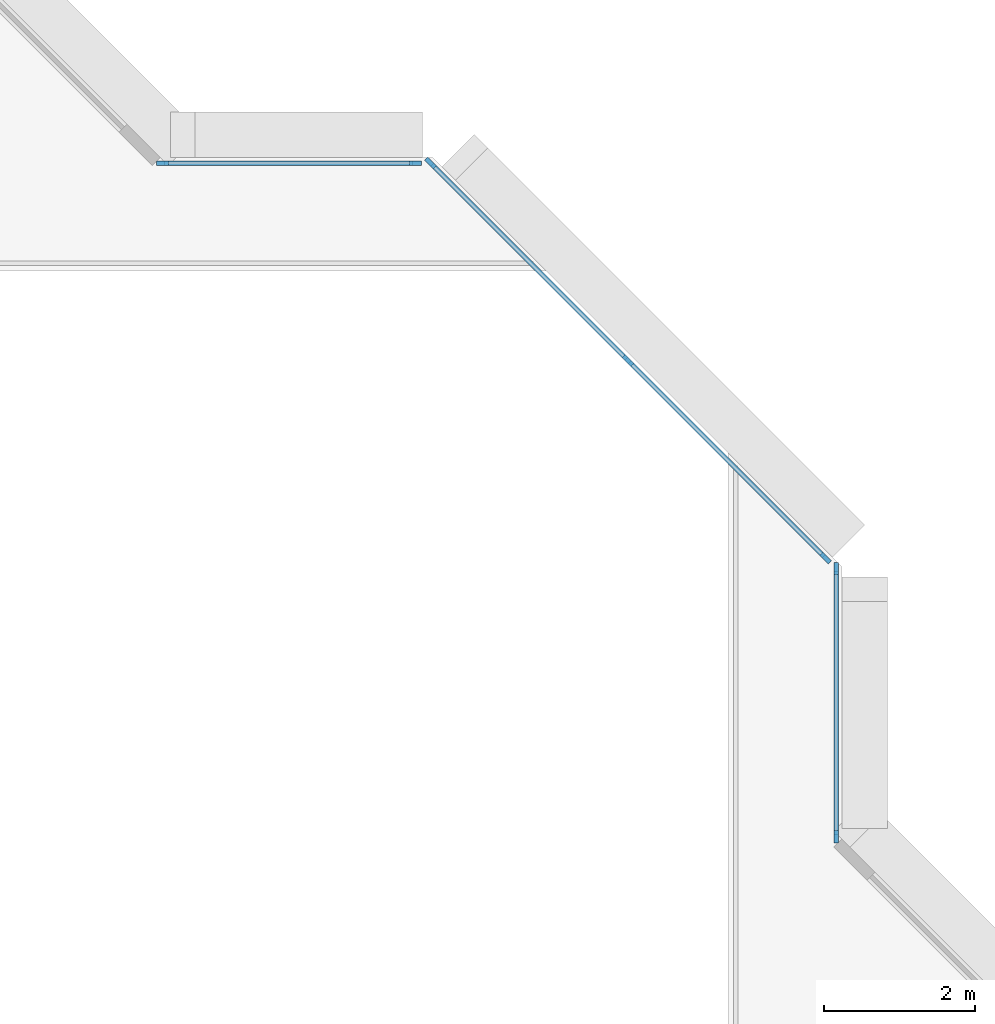
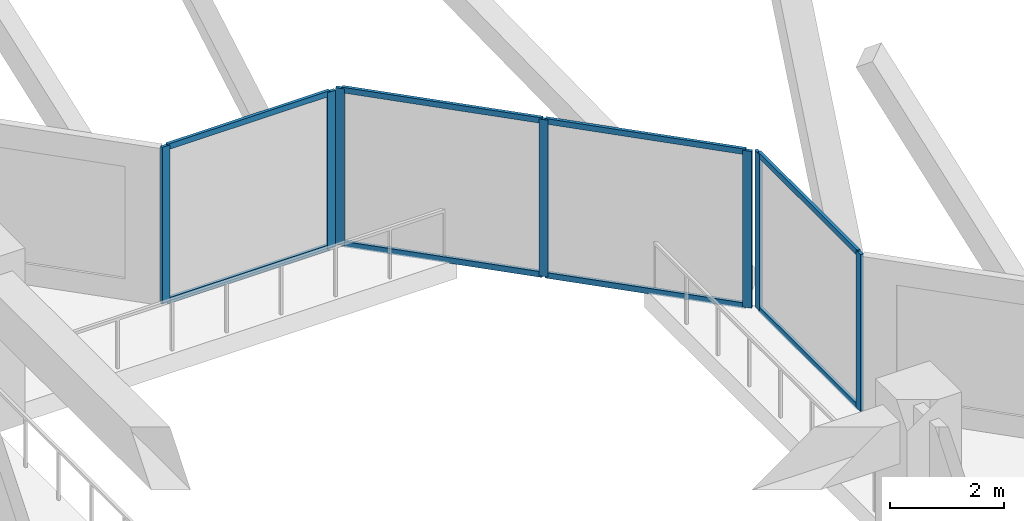
# One storey, part 2 of 16: 15 members, 3 elements without a shape of their own.
"""IFC4 building model written with IfcOpenShell, lengths in metres."""

from ifc_helpers import new_model, si_unit, direction, frame, origin, origin_2d, place, context, subcontext, project, spatial, rectangle, extrude, material, layer, layer_set, material_profile, profile_set, type_object, element, aggregate, save


model = new_model("IFC4")

# Units and contexts
model_context = context("Model", 3, precision=1e-05, world=origin(), true_north=direction((0.0, 1.0)))
body_context = subcontext(model_context, "Body", "Model", "MODEL_VIEW")
ifc_project = project(units=[si_unit("LENGTHUNIT", "METRE"), si_unit("AREAUNIT", "SQUARE_METRE"), si_unit("VOLUMEUNIT", "CUBIC_METRE"), si_unit("PLANEANGLEUNIT", "RADIAN"), si_unit("MASSUNIT", "GRAM", prefix="KILO")], contexts=[model_context])

# Site, building, storey
site_placement = place(None, origin())
site = spatial("IfcSite", under=ifc_project, at=site_placement, CompositionType="ELEMENT")
building_placement = place(site_placement, origin())
building = spatial("IfcBuilding", under=site, at=building_placement, Name="Chenar Terraces", CompositionType="ELEMENT")
storey_placement = place(building_placement, frame((0.0, 0.0, 71.39990234375)))
storey = spatial("IfcBuildingStorey", under=building, at=storey_placement, Name="L15", CompositionType="ELEMENT", Elevation=71.39990234375)

# Curtain wall, members
ifc_material_1 = material(Name="Aluminium framed glazing", Category="aluminium")
ifc_layer = layer(ifc_material_1, 0.14990234375)
ifc_layer_set = layer_set([ifc_layer], Name="Aluminium framed glazing")
curtain_wall_type = type_object("IfcCurtainWallType", Name="Atrium curtain wall", PredefinedType="NOTDEFINED", material=ifc_layer_set)
placement = place(storey_placement, origin())
curtain_wall_1 = element("IfcCurtainWall", 1, at=placement, inside=storey, type_object=curtain_wall_type, Name="Atrium curtain wall", PredefinedType="NOTDEFINED")
ifc_material_2 = material(Name="Aluminium", Category="aluminium")
ifc_material_profile_1 = material_profile(ifc_material_2, rectangle(XDim=0.06005859375, YDim=0.159912109375, at=origin_2d()), Name="Atrium glazing mullion 60 x 160")
ifc_profile_set_1 = profile_set([ifc_material_profile_1], Name="Aluminium")
member_type_1 = type_object("IfcMemberType", Name="Atrium glazing mullion 60 x 160", PredefinedType="MULLION", material=ifc_profile_set_1)
member_1_placement = place(storey_placement, frame((37.425048828125, 28.530029296875, 0.0), z_axis=(0.0, 0.0, 1.0), x_axis=(-1.0, 0.0, 0.0)))
member_1 = element("IfcMember", 2, at=member_1_placement, type_object=member_type_1, Name="CW1-1 mullion 1", PredefinedType="MULLION", context=body_context, shape_type="SweptSolid", body=[
    extrude(rectangle(XDim=0.06005859375, YDim=0.159912109375, at=origin_2d()), origin(), (0.0, 0.0, 1.0), 3.35009765625),
])
member_2_placement = place(storey_placement, frame((37.425048828125, 32.070068359375, 0.0), z_axis=(0.0, 0.0, 1.0), x_axis=(-1.0, 0.0, 0.0)))
member_2 = element("IfcMember", 3, at=member_2_placement, type_object=member_type_1, Name="CW1-1 mullion 2", PredefinedType="MULLION", context=body_context, shape_type="SweptSolid", body=[
    extrude(rectangle(XDim=0.06005859375, YDim=0.159912109375, at=origin_2d()), origin(), (0.0, 0.0, 1.0), 3.35009765625),
])

curtain_wall_2 = element("IfcCurtainWall", 4, at=placement, inside=storey, type_object=curtain_wall_type, Name="Atrium curtain wall", PredefinedType="NOTDEFINED")
member_3_placement = place(storey_placement, frame((37.284423828125, 32.209716796875, 0.0), z_axis=(0.0, 0.0, 1.0), x_axis=(-0.707106781187, -0.707106781187, 0.0)))
member_3 = element("IfcMember", 5, at=member_3_placement, type_object=member_type_1, Name="CW1-2 mullion 1", PredefinedType="MULLION", context=body_context, shape_type="SweptSolid", body=[
    extrude(rectangle(XDim=0.06005859375, YDim=0.159912109375, at=origin_2d()), origin(), (0.0, 0.0, 1.0), 3.35009765625),
])
member_4_placement = place(storey_placement, frame((34.67626953125, 34.817626953125, 0.0), z_axis=(0.0, 0.0, 1.0), x_axis=(-0.707106781187, -0.707106781187, 0.0)))
member_4 = element("IfcMember", 6, at=member_4_placement, type_object=member_type_1, Name="CW1-2 mullion 2", PredefinedType="MULLION", context=body_context, shape_type="SweptSolid", body=[
    extrude(rectangle(XDim=0.06005859375, YDim=0.159912109375, at=origin_2d()), origin(), (0.0, 0.0, 1.0), 3.35009765625),
])
member_5_placement = place(storey_placement, frame((32.068115234375, 37.42578125, 0.0), z_axis=(0.0, 0.0, 1.0), x_axis=(-0.707106781187, -0.707106781187, 0.0)))
member_5 = element("IfcMember", 7, at=member_5_placement, type_object=member_type_1, Name="CW1-2 mullion 3", PredefinedType="MULLION", context=body_context, shape_type="SweptSolid", body=[
    extrude(rectangle(XDim=0.06005859375, YDim=0.159912109375, at=origin_2d()), origin(), (0.0, 0.0, 1.0), 3.35009765625),
])

curtain_wall_3 = element("IfcCurtainWall", 8, at=placement, inside=storey, type_object=curtain_wall_type, Name="Atrium curtain wall", PredefinedType="NOTDEFINED")
member_6_placement = place(storey_placement, frame((31.8701171875, 37.425048828125, 0.0), z_axis=(0.0, 0.0, 1.0), x_axis=(0.0, -1.0, 0.0)))
member_6 = element("IfcMember", 9, at=member_6_placement, type_object=member_type_1, Name="CW1-3 mullion 1", PredefinedType="MULLION", context=body_context, shape_type="SweptSolid", body=[
    extrude(rectangle(XDim=0.06005859375, YDim=0.159912109375, at=origin_2d()), origin(), (0.0, 0.0, 1.0), 3.35009765625),
])
member_7_placement = place(storey_placement, frame((28.530029296875, 37.425048828125, 0.0), z_axis=(0.0, 0.0, 1.0), x_axis=(0.0, -1.0, 0.0)))
member_7 = element("IfcMember", 10, at=member_7_placement, type_object=member_type_1, Name="CW1-3 mullion 2", PredefinedType="MULLION", context=body_context, shape_type="SweptSolid", body=[
    extrude(rectangle(XDim=0.06005859375, YDim=0.159912109375, at=origin_2d()), origin(), (0.0, 0.0, 1.0), 3.35009765625),
])

# Member
ifc_material_3 = material(Name="Aluminium", Category="aluminium")
ifc_material_profile_2 = material_profile(ifc_material_3, rectangle(XDim=0.06005859375, YDim=0.1201171875, at=origin_2d()), Name="Atrium glazing transom 60 x 120")
ifc_profile_set_2 = profile_set([ifc_material_profile_2], Name="Aluminium")
member_type_2 = type_object("IfcMemberType", Name="Atrium glazing transom 60 x 120", PredefinedType="USERDEFINED", material=ifc_profile_set_2)
member_8_placement = place(storey_placement, frame((37.425048828125, 28.56005859375, 0.030029296875), z_axis=(0.0, 1.0, 0.0), x_axis=(-1.0, 0.0, 0.0)))
member_8 = element("IfcMember", 11, at=member_8_placement, type_object=member_type_2, Name="CW1-1 transom 1.1", ObjectType="TRANSOM", PredefinedType="USERDEFINED", context=body_context, shape_type="SweptSolid", body=[
    extrude(rectangle(XDim=0.06005859375, YDim=0.1201171875, at=origin_2d()), origin(), (0.0, 0.0, 1.0), 3.47998046875),
])

member_9_placement = place(storey_placement, frame((37.425048828125, 28.56005859375, 3.320068359375), z_axis=(0.0, 1.0, 0.0), x_axis=(-1.0, 0.0, 0.0)))
member_9 = element("IfcMember", 12, at=member_9_placement, type_object=member_type_2, Name="CW1-1 transom 1.2", ObjectType="TRANSOM", PredefinedType="USERDEFINED", context=body_context, shape_type="SweptSolid", body=[
    extrude(rectangle(XDim=0.06005859375, YDim=0.1201171875, at=origin_2d()), origin(), (0.0, 0.0, 1.0), 3.47998046875),
])

aggregate(curtain_wall_1, [member_1, member_2, member_8, member_9])

member_10_placement = place(storey_placement, frame((37.26318359375, 32.230712890625, 0.030029296875), z_axis=(-0.707106781187, 0.707106781187, 0.0), x_axis=(-0.707106781187, -0.707106781187, 0.0)))
member_10 = element("IfcMember", 13, at=member_10_placement, type_object=member_type_2, Name="CW1-2 transom 1.1", ObjectType="TRANSOM", PredefinedType="USERDEFINED", context=body_context, shape_type="SweptSolid", body=[
    extrude(rectangle(XDim=0.06005859375, YDim=0.1201171875, at=origin_2d()), origin(), (0.0, 0.0, 1.0), 3.62841796875),
])

member_11_placement = place(storey_placement, frame((37.26318359375, 32.230712890625, 3.320068359375), z_axis=(-0.707106781187, 0.707106781187, 0.0), x_axis=(-0.707106781187, -0.707106781187, 0.0)))
member_11 = element("IfcMember", 14, at=member_11_placement, type_object=member_type_2, Name="CW1-2 transom 1.2", ObjectType="TRANSOM", PredefinedType="USERDEFINED", context=body_context, shape_type="SweptSolid", body=[
    extrude(rectangle(XDim=0.06005859375, YDim=0.1201171875, at=origin_2d()), origin(), (0.0, 0.0, 1.0), 3.62841796875),
])

member_12_placement = place(storey_placement, frame((34.655029296875, 34.8388671875, 0.030029296875), z_axis=(-0.707106781187, 0.707106781187, 0.0), x_axis=(-0.707106781187, -0.707106781187, 0.0)))
member_12 = element("IfcMember", 15, at=member_12_placement, type_object=member_type_2, Name="CW1-2 transom 2.1", ObjectType="TRANSOM", PredefinedType="USERDEFINED", context=body_context, shape_type="SweptSolid", body=[
    extrude(rectangle(XDim=0.06005859375, YDim=0.1201171875, at=origin_2d()), origin(), (0.0, 0.0, 1.0), 3.62841796875),
])

member_13_placement = place(storey_placement, frame((34.655029296875, 34.8388671875, 3.320068359375), z_axis=(-0.707106781187, 0.707106781187, 0.0), x_axis=(-0.707106781187, -0.707106781187, 0.0)))
member_13 = element("IfcMember", 16, at=member_13_placement, type_object=member_type_2, Name="CW1-2 transom 2.2", ObjectType="TRANSOM", PredefinedType="USERDEFINED", context=body_context, shape_type="SweptSolid", body=[
    extrude(rectangle(XDim=0.06005859375, YDim=0.1201171875, at=origin_2d()), origin(), (0.0, 0.0, 1.0), 3.62841796875),
])

aggregate(curtain_wall_2, [member_3, member_4, member_5, member_10, member_11, member_12, member_13])

member_14_placement = place(storey_placement, frame((31.840087890625, 37.425048828125, 0.030029296875), z_axis=(-1.0, 0.0, 0.0), x_axis=(0.0, -1.0, 0.0)))
member_14 = element("IfcMember", 17, at=member_14_placement, type_object=member_type_2, Name="CW1-3 transom 1.1", ObjectType="TRANSOM", PredefinedType="USERDEFINED", context=body_context, shape_type="SweptSolid", body=[
    extrude(rectangle(XDim=0.06005859375, YDim=0.1201171875, at=origin_2d()), origin(), (0.0, 0.0, 1.0), 3.280029296875),
])

member_15_placement = place(storey_placement, frame((31.840087890625, 37.425048828125, 3.320068359375), z_axis=(-1.0, 0.0, 0.0), x_axis=(0.0, -1.0, 0.0)))
member_15 = element("IfcMember", 18, at=member_15_placement, type_object=member_type_2, Name="CW1-3 transom 1.2", ObjectType="TRANSOM", PredefinedType="USERDEFINED", context=body_context, shape_type="SweptSolid", body=[
    extrude(rectangle(XDim=0.06005859375, YDim=0.1201171875, at=origin_2d()), origin(), (0.0, 0.0, 1.0), 3.280029296875),
])

aggregate(curtain_wall_3, [member_6, member_7, member_14, member_15])

save(model, "model.ifc")
